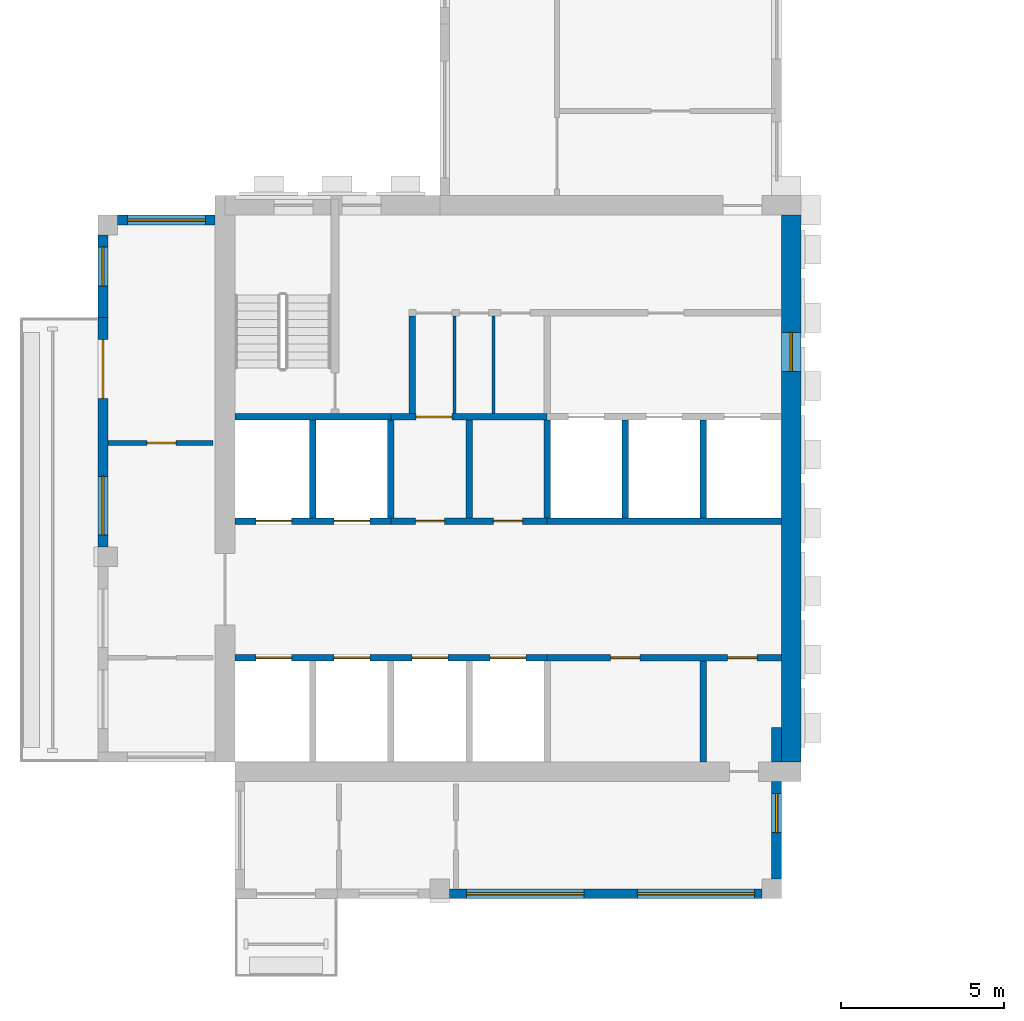
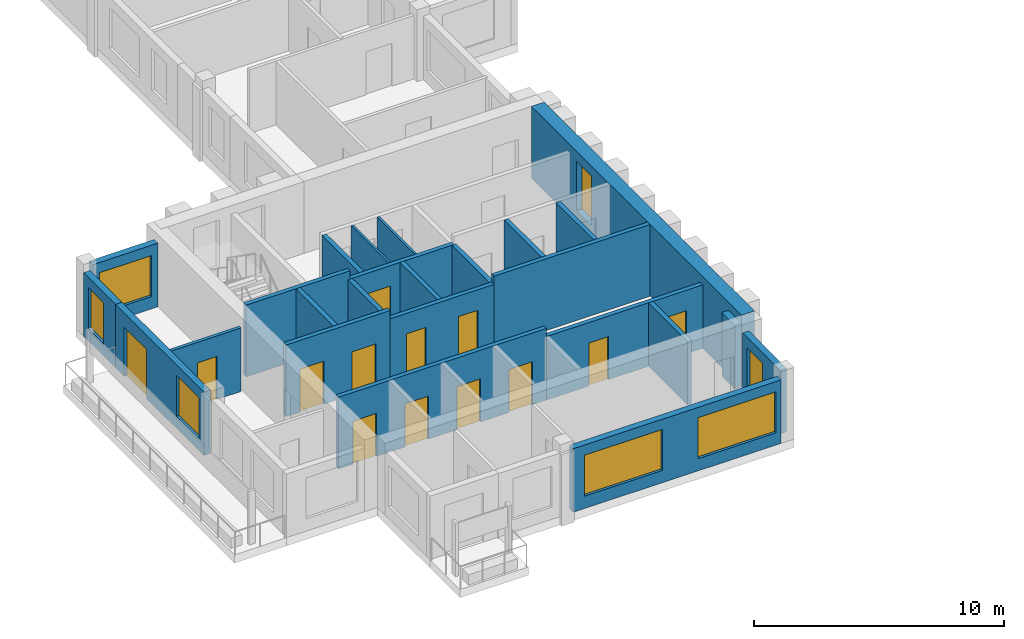
# One storey, part 2 of 9: 25 walls, 13 doors, 7 windows, 20 openings.
"""IFC4 building model written with IfcOpenShell, lengths in metres."""

from ifc_helpers import new_model, si_unit, direction, frame, frame_2d, origin, place, context, subcontext, project, spatial, rectangle, extrude, source, transform, mapped, material, layer, layer_set, type_object, element, fill, save


model = new_model("IFC4")

# Units and contexts
model_context = context("Model", 3, precision=1e-05, world=origin(), true_north=direction((0.0, 1.0)))
body_context = subcontext(model_context, "Body", "Model", "MODEL_VIEW")
ifc_project = project(units=[si_unit("LENGTHUNIT", "METRE"), si_unit("AREAUNIT", "SQUARE_METRE"), si_unit("VOLUMEUNIT", "CUBIC_METRE"), si_unit("PLANEANGLEUNIT", "RADIAN"), si_unit("MASSUNIT", "GRAM", prefix="KILO")], contexts=[model_context])

# Site, building, storey
site_placement = place(None, origin())
site = spatial("IfcSite", under=ifc_project, at=site_placement, CompositionType="ELEMENT")
building_placement = place(site_placement, origin())
building = spatial("IfcBuilding", under=site, at=building_placement, Name="Aurelian Terraces", CompositionType="ELEMENT")
storey_placement = place(building_placement, frame((0.0, 0.0, 340.5)))
storey = spatial("IfcBuildingStorey", under=building, at=storey_placement, Name="L80", CompositionType="ELEMENT", Elevation=340.5)

# Wall, opening, window
ifc_material_1 = material(Name="Concrete fc' 55 MPa", Category="concrete")
ifc_layer_1 = layer(ifc_material_1, 0.6)
ifc_layer_set_1 = layer_set([ifc_layer_1], Name="CORE WALL 600 FC55")
wall_type_1 = type_object("IfcWallType", Name="CORE WALL 600 FC55", PredefinedType="SHEAR", material=ifc_layer_set_1)
shared_shape_1 = source(origin(), body_context, "Body", "SweptSolid", [
    extrude(rectangle(XDim=16.8, YDim=0.6, at=frame_2d((8.4, 0.0))), origin(), (0.0, 0.0, 1.0), 3.5),
])
wall_1_placement = place(storey_placement, frame((21.3, 4.2, 0.0), z_axis=(0.0, 0.0, 1.0), x_axis=(0.0, 1.0, 0.0)))
wall_1 = element("IfcWall", 1, at=wall_1_placement, inside=storey, type_object=wall_type_1, Name="Core wall E L80 exposed", PredefinedType="SHEAR", context=body_context, shape_type="MappedRepresentation", body=[
    mapped(shared_shape_1, transform((0.0, 0.0, 0.0), scale=1.0)),
])
shared_shape_2 = source(origin(), body_context, "Body", "SweptSolid", [
    extrude(rectangle(XDim=1.2, YDim=2.4, at=frame_2d((0.6, 1.2))), frame((0.0, 0.31, 0.0), z_axis=(0.0, -1.0, 0.0), x_axis=(1.0, 0.0, 0.0)), (0.0, 0.0, 1.0), 0.62),
])
opening_1_placement = place(wall_1_placement, frame((12.0, 0.0, 0.6)))
opening_1 = element("IfcOpeningElement", 2, at=opening_1_placement, cuts=wall_1, Name="Opening W-CL", PredefinedType="OPENING", context=body_context, shape_type="MappedRepresentation", body=[
    mapped(shared_shape_2, transform((0.0, 0.0, 0.0), scale=1.0)),
])
ifc_material_2 = material(Name="Fire-resisting glazing", Category="glass")
window_type_1 = type_object("IfcWindowType", Name="Core lobby window 1200x2400", PartitioningType="SINGLE_PANEL", PredefinedType="WINDOW", material=ifc_material_2)
shared_shape_3 = source(origin(), body_context, "Body", "SweptSolid", [
    extrude(rectangle(XDim=1.2, YDim=2.4, at=frame_2d((0.6, 1.2))), frame((0.0, 0.03, 0.0), z_axis=(0.0, -1.0, 0.0), x_axis=(1.0, 0.0, 0.0)), (0.0, 0.0, 1.0), 0.06),
])
window_1_placement = place(opening_1_placement, origin())
window_1 = element("IfcWindow", 3, at=window_1_placement, inside=storey, type_object=window_type_1, Name="Lobby window L80 E49", OverallHeight=2.4, OverallWidth=1.2, PartitioningType="SINGLE_PANEL", PredefinedType="WINDOW", context=body_context, shape_type="MappedRepresentation", body=[
    mapped(shared_shape_3, transform((0.0, 0.0, 0.0), scale=1.0)),
])
fill(opening_1, window_1)

# Wall
ifc_material_3 = material(Name="Terracotta rainscreen cladding", Category="masonry")
ifc_layer_2 = layer(ifc_material_3, 0.3)
ifc_layer_set_2 = layer_set([ifc_layer_2], Name="EW-300")
wall_type_2 = type_object("IfcWallType", Name="EW-300", PredefinedType="STANDARD", material=ifc_layer_set_2)
shared_shape_4 = source(origin(), body_context, "Body", "SweptSolid", [
    extrude(rectangle(XDim=1.05, YDim=0.3, at=frame_2d((0.525, 0.0))), origin(), (0.0, 0.0, 1.0), 3.1),
])
wall_2_placement = place(storey_placement, frame((20.85, 4.2, 0.0), z_axis=(0.0, 0.0, 1.0), x_axis=(0.0, 1.0, 0.0)))
element("IfcWall", 4, at=wall_2_placement, inside=storey, type_object=wall_type_2, Name="External wall L80 F02.4", PredefinedType="STANDARD", context=body_context, shape_type="MappedRepresentation", body=[
    mapped(shared_shape_4, transform((0.0, 0.0, 0.0), scale=1.0)),
])

# Wall, opening, window
shared_shape_5 = source(origin(), body_context, "Body", "SweptSolid", [
    extrude(rectangle(XDim=3.0, YDim=0.3, at=frame_2d((1.5, 0.0))), origin(), (0.0, 0.0, 1.0), 3.1),
])
wall_3_placement = place(storey_placement, frame((20.85, 0.6, 0.0), z_axis=(0.0, 0.0, 1.0), x_axis=(0.0, 1.0, 0.0)))
wall_3 = element("IfcWall", 5, at=wall_3_placement, inside=storey, type_object=wall_type_2, Name="External wall L80 F02.4", PredefinedType="STANDARD", context=body_context, shape_type="MappedRepresentation", body=[
    mapped(shared_shape_5, transform((0.0, 0.0, 0.0), scale=1.0)),
])
shared_shape_6 = source(origin(), body_context, "Body", "SweptSolid", [
    extrude(rectangle(XDim=1.2, YDim=2.0, at=frame_2d((0.6, 1.0))), frame((0.0, 0.16, 0.0), z_axis=(0.0, -1.0, 0.0), x_axis=(1.0, 0.0, 0.0)), (0.0, 0.0, 1.0), 0.32),
])
opening_2_placement = place(wall_3_placement, frame((1.425, 0.0, 0.6)))
opening_2 = element("IfcOpeningElement", 6, at=opening_2_placement, cuts=wall_3, Name="Opening W1220", PredefinedType="OPENING", context=body_context, shape_type="MappedRepresentation", body=[
    mapped(shared_shape_6, transform((0.0, 0.0, 0.0), scale=1.0)),
])
ifc_material_4 = material(Name="Clear glazing", Category="glass")
window_type_2 = type_object("IfcWindowType", Name="W-1200x2000", PartitioningType="SINGLE_PANEL", PredefinedType="WINDOW", material=ifc_material_4)
shared_shape_7 = source(origin(), body_context, "Body", "SweptSolid", [
    extrude(rectangle(XDim=1.2, YDim=2.0, at=frame_2d((0.6, 1.0))), frame((0.0, 0.03, 0.0), z_axis=(0.0, -1.0, 0.0), x_axis=(1.0, 0.0, 0.0)), (0.0, 0.0, 1.0), 0.06),
])
window_2_placement = place(opening_2_placement, origin())
window_2 = element("IfcWindow", 7, at=window_2_placement, inside=storey, type_object=window_type_2, Name="Window L80 L80-F02-04-0", OverallHeight=2.0, OverallWidth=1.2, PartitioningType="SINGLE_PANEL", PredefinedType="WINDOW", context=body_context, shape_type="MappedRepresentation", body=[
    mapped(shared_shape_7, transform((0.0, 0.0, 0.0), scale=1.0)),
])
fill(opening_2, window_2)

wall_4_placement = place(storey_placement, frame((3.6, 20.85, 0.0), z_axis=(0.0, 0.0, 1.0), x_axis=(-1.0, 0.0, 0.0)))
wall_4 = element("IfcWall", 8, at=wall_4_placement, inside=storey, type_object=wall_type_2, Name="External wall L80 F09.18", PredefinedType="STANDARD", context=body_context, shape_type="MappedRepresentation", body=[
    mapped(shared_shape_5, transform((0.0, 0.0, 0.0), scale=1.0)),
])
shared_shape_8 = source(origin(), body_context, "Body", "SweptSolid", [
    extrude(rectangle(XDim=2.4, YDim=2.0, at=frame_2d((1.2, 1.0))), frame((0.0, 0.16, 0.0), z_axis=(0.0, -1.0, 0.0), x_axis=(1.0, 0.0, 0.0)), (0.0, 0.0, 1.0), 0.32),
])
opening_3_placement = place(wall_4_placement, frame((0.3, 0.0, 0.6)))
opening_3 = element("IfcOpeningElement", 9, at=opening_3_placement, cuts=wall_4, Name="Opening W2420", PredefinedType="OPENING", context=body_context, shape_type="MappedRepresentation", body=[
    mapped(shared_shape_8, transform((0.0, 0.0, 0.0), scale=1.0)),
])
window_type_3 = type_object("IfcWindowType", Name="W-2400x2000", PartitioningType="SINGLE_PANEL", PredefinedType="WINDOW", material=ifc_material_4)
shared_shape_9 = source(origin(), body_context, "Body", "SweptSolid", [
    extrude(rectangle(XDim=2.4, YDim=2.0, at=frame_2d((1.2, 1.0))), frame((0.0, 0.03, 0.0), z_axis=(0.0, -1.0, 0.0), x_axis=(1.0, 0.0, 0.0)), (0.0, 0.0, 1.0), 0.06),
])
window_3_placement = place(opening_3_placement, origin())
window_3 = element("IfcWindow", 10, at=window_3_placement, inside=storey, type_object=window_type_3, Name="Window L80 L80-F09-18-0", OverallHeight=2.0, OverallWidth=2.4, PartitioningType="SINGLE_PANEL", PredefinedType="WINDOW", context=body_context, shape_type="MappedRepresentation", body=[
    mapped(shared_shape_9, transform((0.0, 0.0, 0.0), scale=1.0)),
])
fill(opening_3, window_3)

# Wall, openings, windows
shared_shape_10 = source(origin(), body_context, "Body", "SweptSolid", [
    extrude(rectangle(XDim=9.6, YDim=0.3, at=frame_2d((4.8, 0.0))), origin(), (0.0, 0.0, 1.0), 3.1),
])
wall_5_placement = place(storey_placement, frame((10.8, 0.15, 0.0), z_axis=(0.0, 0.0, 1.0), x_axis=(1.0, 0.0, 0.0)))
wall_5 = element("IfcWall", 11, at=wall_5_placement, inside=storey, type_object=wall_type_2, Name="External wall L80 F01.3", PredefinedType="STANDARD", context=body_context, shape_type="MappedRepresentation", body=[
    mapped(shared_shape_10, transform((0.0, 0.0, 0.0), scale=1.0)),
])
shared_shape_11 = source(origin(), body_context, "Body", "SweptSolid", [
    extrude(rectangle(XDim=3.6, YDim=2.0, at=frame_2d((1.8, 1.0))), frame((0.0, 0.16, 0.0), z_axis=(0.0, -1.0, 0.0), x_axis=(1.0, 0.0, 0.0)), (0.0, 0.0, 1.0), 0.32),
])
opening_4_placement = place(wall_5_placement, frame((0.525, 0.0, 0.6)))
opening_4 = element("IfcOpeningElement", 12, at=opening_4_placement, cuts=wall_5, Name="Opening W3620", PredefinedType="OPENING", context=body_context, shape_type="MappedRepresentation", body=[
    mapped(shared_shape_11, transform((0.0, 0.0, 0.0), scale=1.0)),
])
opening_5_placement = place(wall_5_placement, frame((5.775, 0.0, 0.6)))
opening_5 = element("IfcOpeningElement", 13, at=opening_5_placement, cuts=wall_5, Name="Opening W3620", PredefinedType="OPENING", context=body_context, shape_type="MappedRepresentation", body=[
    mapped(shared_shape_11, transform((0.0, 0.0, 0.0), scale=1.0)),
])
window_type_4 = type_object("IfcWindowType", Name="W-3600x2000", PartitioningType="SINGLE_PANEL", PredefinedType="WINDOW", material=ifc_material_4)
shared_shape_12 = source(origin(), body_context, "Body", "SweptSolid", [
    extrude(rectangle(XDim=3.6, YDim=2.0, at=frame_2d((1.8, 1.0))), frame((0.0, 0.03, 0.0), z_axis=(0.0, -1.0, 0.0), x_axis=(1.0, 0.0, 0.0)), (0.0, 0.0, 1.0), 0.06),
])
window_4_placement = place(opening_4_placement, origin())
window_4 = element("IfcWindow", 14, at=window_4_placement, inside=storey, type_object=window_type_4, Name="Window L80 L80-F01-03-0", OverallHeight=2.0, OverallWidth=3.6, PartitioningType="SINGLE_PANEL", PredefinedType="WINDOW", context=body_context, shape_type="MappedRepresentation", body=[
    mapped(shared_shape_12, transform((0.0, 0.0, 0.0), scale=1.0)),
])
fill(opening_4, window_4)
window_5_placement = place(opening_5_placement, origin())
window_5 = element("IfcWindow", 15, at=window_5_placement, inside=storey, type_object=window_type_4, Name="Window L80 L80-F01-03-1", OverallHeight=2.0, OverallWidth=3.6, PartitioningType="SINGLE_PANEL", PredefinedType="WINDOW", context=body_context, shape_type="MappedRepresentation", body=[
    mapped(shared_shape_12, transform((0.0, 0.0, 0.0), scale=1.0)),
])
fill(opening_5, window_5)

# Wall, opening, window
shared_shape_13 = source(origin(), body_context, "Body", "SweptSolid", [
    extrude(rectangle(XDim=2.55, YDim=0.3, at=frame_2d((1.275, 0.0))), origin(), (0.0, 0.0, 1.0), 3.1),
])
wall_6_placement = place(storey_placement, frame((0.15, 20.4, 0.0), z_axis=(0.0, 0.0, 1.0), x_axis=(0.0, -1.0, 0.0)))
wall_6 = element("IfcWall", 16, at=wall_6_placement, inside=storey, type_object=wall_type_2, Name="External wall L80 F10.19", PredefinedType="STANDARD", context=body_context, shape_type="MappedRepresentation", body=[
    mapped(shared_shape_13, transform((0.0, 0.0, 0.0), scale=1.0)),
])
opening_6_placement = place(wall_6_placement, frame((0.375, 0.0, 0.6)))
opening_6 = element("IfcOpeningElement", 17, at=opening_6_placement, cuts=wall_6, Name="Opening W1220", PredefinedType="OPENING", context=body_context, shape_type="MappedRepresentation", body=[
    mapped(shared_shape_6, transform((0.0, 0.0, 0.0), scale=1.0)),
])
window_6_placement = place(opening_6_placement, origin())
window_6 = element("IfcWindow", 18, at=window_6_placement, inside=storey, type_object=window_type_2, Name="Window L80 L80-F10-19-0", OverallHeight=2.0, OverallWidth=1.2, PartitioningType="SINGLE_PANEL", PredefinedType="WINDOW", context=body_context, shape_type="MappedRepresentation", body=[
    mapped(shared_shape_7, transform((0.0, 0.0, 0.0), scale=1.0)),
])
fill(opening_6, window_6)

# Wall, openings, door, window
shared_shape_14 = source(origin(), body_context, "Body", "SweptSolid", [
    extrude(rectangle(XDim=7.05, YDim=0.3, at=frame_2d((3.525, 0.0))), origin(), (0.0, 0.0, 1.0), 3.1),
])
wall_7_placement = place(storey_placement, frame((0.15, 17.85, 0.0), z_axis=(0.0, 0.0, 1.0), x_axis=(0.0, -1.0, 0.0)))
wall_7 = element("IfcWall", 19, at=wall_7_placement, inside=storey, type_object=wall_type_2, Name="External wall L80 F10.20", PredefinedType="STANDARD", context=body_context, shape_type="MappedRepresentation", body=[
    mapped(shared_shape_14, transform((0.0, 0.0, 0.0), scale=1.0)),
])
shared_shape_15 = source(origin(), body_context, "Body", "SweptSolid", [
    extrude(rectangle(XDim=1.8, YDim=2.4, at=frame_2d((0.9, 1.2))), frame((0.0, 0.16, 0.0), z_axis=(0.0, -1.0, 0.0), x_axis=(1.0, 0.0, 0.0)), (0.0, 0.0, 1.0), 0.32),
])
opening_7_placement = place(wall_7_placement, frame((0.675, 0.0, 0.0)))
opening_7 = element("IfcOpeningElement", 20, at=opening_7_placement, cuts=wall_7, Name="Opening 88002", PredefinedType="OPENING", context=body_context, shape_type="MappedRepresentation", body=[
    mapped(shared_shape_15, transform((0.0, 0.0, 0.0), scale=1.0)),
])
shared_shape_16 = source(origin(), body_context, "Body", "SweptSolid", [
    extrude(rectangle(XDim=1.8, YDim=2.0, at=frame_2d((0.9, 1.0))), frame((0.0, 0.16, 0.0), z_axis=(0.0, -1.0, 0.0), x_axis=(1.0, 0.0, 0.0)), (0.0, 0.0, 1.0), 0.32),
])
opening_8_placement = place(wall_7_placement, frame((4.875, 0.0, 0.6)))
opening_8 = element("IfcOpeningElement", 21, at=opening_8_placement, cuts=wall_7, Name="Opening W1820", PredefinedType="OPENING", context=body_context, shape_type="MappedRepresentation", body=[
    mapped(shared_shape_16, transform((0.0, 0.0, 0.0), scale=1.0)),
])
door_type_1 = type_object("IfcDoorType", Name="BD-1800x2400", OperationType="SLIDING_TO_LEFT", PredefinedType="DOOR", material=ifc_material_4)
shared_shape_17 = source(origin(), body_context, "Body", "SweptSolid", [
    extrude(rectangle(XDim=1.8, YDim=2.4, at=frame_2d((0.9, 1.2))), frame((0.0, 0.025, 0.0), z_axis=(0.0, -1.0, 0.0), x_axis=(1.0, 0.0, 0.0)), (0.0, 0.0, 1.0), 0.05),
])
door_1_placement = place(opening_7_placement, origin())
door_1 = element("IfcDoor", 22, at=door_1_placement, inside=storey, type_object=door_type_1, Name="Balcony door L80 F10.20", OperationType="SLIDING_TO_LEFT", OverallHeight=2.4, OverallWidth=1.8, PredefinedType="DOOR", context=body_context, shape_type="MappedRepresentation", body=[
    mapped(shared_shape_17, transform((0.0, 0.0, 0.0), scale=1.0)),
])
fill(opening_7, door_1)
window_type_5 = type_object("IfcWindowType", Name="W-1800x2000", PartitioningType="SINGLE_PANEL", PredefinedType="WINDOW", material=ifc_material_4)
shared_shape_18 = source(origin(), body_context, "Body", "SweptSolid", [
    extrude(rectangle(XDim=1.8, YDim=2.0, at=frame_2d((0.9, 1.0))), frame((0.0, 0.03, 0.0), z_axis=(0.0, -1.0, 0.0), x_axis=(1.0, 0.0, 0.0)), (0.0, 0.0, 1.0), 0.06),
])
window_7_placement = place(opening_8_placement, origin())
window_7 = element("IfcWindow", 23, at=window_7_placement, inside=storey, type_object=window_type_5, Name="Window L80 L80-F10-20-1", OverallHeight=2.0, OverallWidth=1.8, PartitioningType="SINGLE_PANEL", PredefinedType="WINDOW", context=body_context, shape_type="MappedRepresentation", body=[
    mapped(shared_shape_18, transform((0.0, 0.0, 0.0), scale=1.0)),
])
fill(opening_8, window_7)

# Walls
ifc_material_5 = material(Name="Concrete fc' 40 MPa", Category="concrete")
ifc_layer_3 = layer(ifc_material_5, 0.2)
ifc_layer_set_3 = layer_set([ifc_layer_3], Name="Lift shaft wall 200")
wall_type_3 = type_object("IfcWallType", Name="Lift shaft wall 200", PredefinedType="SOLIDWALL", material=ifc_layer_set_3)
shared_shape_19 = source(origin(), body_context, "Body", "SweptSolid", [
    extrude(rectangle(XDim=3.0, YDim=0.2, at=frame_2d((1.5, 0.0))), origin(), (0.0, 0.0, 1.0), 3.1),
])
for number, where, z_axis, x_axis, name in (
    (24, (9.0, 11.7, 0.0), (0.0, 0.0, 1.0), (0.0, 1.0, 0.0), "L80 core wall CD-B2"),
    (25, (13.8, 11.7, 0.0), (0.0, 0.0, 1.0), (0.0, 1.0, 0.0), "L80 core wall CD-B4"),
):
    element("IfcWall", number, at=place(storey_placement, frame(where, z_axis=z_axis, x_axis=x_axis)), inside=storey, type_object=wall_type_3, Name=name, PredefinedType="SOLIDWALL", context=body_context, shape_type="MappedRepresentation", body=[
        mapped(shared_shape_19, transform((0.0, 0.0, 0.0), scale=1.0)),
    ])
shared_shape_20 = source(origin(), body_context, "Body", "SweptSolid", [
    extrude(rectangle(XDim=3.0, YDim=0.2, at=frame_2d((1.5, 0.0))), origin(), (0.0, 0.0, 1.0), 3.5),
])
for number, where, z_axis, x_axis, name in (
    (26, (6.6, 11.7, 0.0), (0.0, 0.0, 1.0), (0.0, 1.0, 0.0), "L80 core wall CD-B1"),
    (27, (16.2, 11.7, 0.0), (0.0, 0.0, 1.0), (0.0, 1.0, 0.0), "L80 core wall CD-B5"),
    (28, (18.6, 11.7, 0.0), (0.0, 0.0, 1.0), (0.0, 1.0, 0.0), "L80 core wall CD-B6"),
):
    element("IfcWall", number, at=place(storey_placement, frame(where, z_axis=z_axis, x_axis=x_axis)), inside=storey, type_object=wall_type_3, Name=name, PredefinedType="SOLIDWALL", context=body_context, shape_type="MappedRepresentation", body=[
        mapped(shared_shape_20, transform((0.0, 0.0, 0.0), scale=1.0)),
    ])

# Wall, openings, doors
shared_shape_21 = source(origin(), body_context, "Body", "SweptSolid", [
    extrude(rectangle(XDim=4.8, YDim=0.2, at=frame_2d((2.4, 0.0))), origin(), (0.0, 0.0, 1.0), 3.5),
])
wall_8_placement = place(storey_placement, frame((4.2, 11.6, 0.0), z_axis=(0.0, 0.0, 1.0), x_axis=(1.0, 0.0, 0.0)))
wall_8 = element("IfcWall", 29, at=wall_8_placement, inside=storey, type_object=wall_type_3, Name="L80 core wall CF-BF1", PredefinedType="SOLIDWALL", context=body_context, shape_type="MappedRepresentation", body=[
    mapped(shared_shape_21, transform((0.0, 0.0, 0.0), scale=1.0)),
])
shared_shape_22 = source(origin(), body_context, "Body", "SweptSolid", [
    extrude(rectangle(XDim=1.1, YDim=2.1, at=frame_2d((0.55, 1.05))), frame((0.0, 0.11, 0.0), z_axis=(0.0, -1.0, 0.0), x_axis=(1.0, 0.0, 0.0)), (0.0, 0.0, 1.0), 0.22),
])
opening_9_placement = place(wall_8_placement, frame((0.65, 0.0, 0.0)))
opening_9 = element("IfcOpeningElement", 30, at=opening_9_placement, cuts=wall_8, Name="Opening 68306", PredefinedType="OPENING", context=body_context, shape_type="MappedRepresentation", body=[
    mapped(shared_shape_22, transform((0.0, 0.0, 0.0), scale=1.0)),
])
opening_10_placement = place(wall_8_placement, frame((3.05, 0.0, 0.0)))
opening_10 = element("IfcOpeningElement", 31, at=opening_10_placement, cuts=wall_8, Name="Opening 68307", PredefinedType="OPENING", context=body_context, shape_type="MappedRepresentation", body=[
    mapped(shared_shape_22, transform((0.0, 0.0, 0.0), scale=1.0)),
])
ifc_material_6 = material(Name="Stainless steel", Category="steel")
door_type_2 = type_object("IfcDoorType", Name="Lift landing door 1100x2100", OperationType="SLIDING_TO_LEFT", PredefinedType="DOOR", material=ifc_material_6)
shared_shape_23 = source(origin(), body_context, "Body", "SweptSolid", [
    extrude(rectangle(XDim=1.1, YDim=2.1, at=frame_2d((0.55, 1.05))), frame((0.0, 0.025, 0.0), z_axis=(0.0, -1.0, 0.0), x_axis=(1.0, 0.0, 0.0)), (0.0, 0.0, 1.0), 0.05),
])
door_2_placement = place(opening_9_placement, origin())
door_2 = element("IfcDoor", 32, at=door_2_placement, inside=storey, type_object=door_type_2, Name="Lift landing door LH5 L80", OperationType="SLIDING_TO_LEFT", OverallHeight=2.1, OverallWidth=1.1, PredefinedType="DOOR", context=body_context, shape_type="MappedRepresentation", body=[
    mapped(shared_shape_23, transform((0.0, 0.0, 0.0), scale=1.0)),
])
fill(opening_9, door_2)
door_3_placement = place(opening_10_placement, origin())
door_3 = element("IfcDoor", 33, at=door_3_placement, inside=storey, type_object=door_type_2, Name="Lift landing door LH6 L80", OperationType="SLIDING_TO_LEFT", OverallHeight=2.1, OverallWidth=1.1, PredefinedType="DOOR", context=body_context, shape_type="MappedRepresentation", body=[
    mapped(shared_shape_23, transform((0.0, 0.0, 0.0), scale=1.0)),
])
fill(opening_10, door_3)

# Wall
wall_9_placement = place(storey_placement, frame((4.2, 14.8, 0.0), z_axis=(0.0, 0.0, 1.0), x_axis=(1.0, 0.0, 0.0)))
element("IfcWall", 34, at=wall_9_placement, inside=storey, type_object=wall_type_3, Name="L80 core wall CF-BB1", PredefinedType="SOLIDWALL", context=body_context, shape_type="MappedRepresentation", body=[
    mapped(shared_shape_21, transform((0.0, 0.0, 0.0), scale=1.0)),
])

# Wall, openings, doors
shared_shape_24 = source(origin(), body_context, "Body", "SweptSolid", [
    extrude(rectangle(XDim=4.8, YDim=0.2, at=frame_2d((2.4, 0.0))), origin(), (0.0, 0.0, 1.0), 3.1),
])
wall_10_placement = place(storey_placement, frame((9.0, 11.6, 0.0), z_axis=(0.0, 0.0, 1.0), x_axis=(1.0, 0.0, 0.0)))
wall_10 = element("IfcWall", 35, at=wall_10_placement, inside=storey, type_object=wall_type_3, Name="L80 core wall CF-BF2", PredefinedType="SOLIDWALL", context=body_context, shape_type="MappedRepresentation", body=[
    mapped(shared_shape_24, transform((0.0, 0.0, 0.0), scale=1.0)),
])
shared_shape_25 = source(origin(), body_context, "Body", "SweptSolid", [
    extrude(rectangle(XDim=0.9, YDim=2.1, at=frame_2d((0.45, 1.05))), frame((0.0, 0.11, 0.0), z_axis=(0.0, -1.0, 0.0), x_axis=(1.0, 0.0, 0.0)), (0.0, 0.0, 1.0), 0.22),
])
opening_11_placement = place(wall_10_placement, frame((0.75, 0.0, 0.0)))
opening_11 = element("IfcOpeningElement", 36, at=opening_11_placement, cuts=wall_10, Name="Opening 68308", PredefinedType="OPENING", context=body_context, shape_type="MappedRepresentation", body=[
    mapped(shared_shape_25, transform((0.0, 0.0, 0.0), scale=1.0)),
])
opening_12_placement = place(wall_10_placement, frame((3.15, 0.0, 0.0)))
opening_12 = element("IfcOpeningElement", 37, at=opening_12_placement, cuts=wall_10, Name="Opening 68309", PredefinedType="OPENING", context=body_context, shape_type="MappedRepresentation", body=[
    mapped(shared_shape_25, transform((0.0, 0.0, 0.0), scale=1.0)),
])
ifc_material_7 = material(Name="Steel door leaf", Category="steel")
door_type_3 = type_object("IfcDoorType", Name="Core service door 900x2100 right", OperationType="SINGLE_SWING_RIGHT", PredefinedType="DOOR", material=ifc_material_7)
shared_shape_26 = source(origin(), body_context, "Body", "SweptSolid", [
    extrude(rectangle(XDim=0.9, YDim=2.1, at=frame_2d((0.45, 1.05))), frame((0.0, 0.025, 0.0), z_axis=(0.0, -1.0, 0.0), x_axis=(1.0, 0.0, 0.0)), (0.0, 0.0, 1.0), 0.05),
])
door_4_placement = place(opening_11_placement, origin())
door_4 = element("IfcDoor", 38, at=door_4_placement, inside=storey, type_object=door_type_3, Name="Room door 68308", OperationType="SINGLE_SWING_RIGHT", OverallHeight=2.1, OverallWidth=0.9, PredefinedType="DOOR", context=body_context, shape_type="MappedRepresentation", body=[
    mapped(shared_shape_26, transform((0.0, 0.0, 0.0), scale=1.0)),
])
fill(opening_11, door_4)
door_type_4 = type_object("IfcDoorType", Name="Core service door 900x2100", OperationType="SINGLE_SWING_LEFT", PredefinedType="DOOR", material=ifc_material_7)
door_5_placement = place(opening_12_placement, origin())
door_5 = element("IfcDoor", 39, at=door_5_placement, inside=storey, type_object=door_type_4, Name="Room door 68309", OperationType="SINGLE_SWING_LEFT", OverallHeight=2.1, OverallWidth=0.9, PredefinedType="DOOR", context=body_context, shape_type="MappedRepresentation", body=[
    mapped(shared_shape_26, transform((0.0, 0.0, 0.0), scale=1.0)),
])
fill(opening_12, door_5)

# Wall, opening, door
wall_11_placement = place(storey_placement, frame((9.0, 14.8, 0.0), z_axis=(0.0, 0.0, 1.0), x_axis=(1.0, 0.0, 0.0)))
wall_11 = element("IfcWall", 40, at=wall_11_placement, inside=storey, type_object=wall_type_3, Name="L80 core wall CF-BB2", PredefinedType="SOLIDWALL", context=body_context, shape_type="MappedRepresentation", body=[
    mapped(shared_shape_24, transform((0.0, 0.0, 0.0), scale=1.0)),
])
opening_13_placement = place(wall_11_placement, frame((0.775, 0.0, 0.0)))
opening_13 = element("IfcOpeningElement", 41, at=opening_13_placement, cuts=wall_11, Name="Opening 68310", PredefinedType="OPENING", context=body_context, shape_type="MappedRepresentation", body=[
    mapped(shared_shape_22, transform((0.0, 0.0, 0.0), scale=1.0)),
])
door_type_5 = type_object("IfcDoorType", Name="Core fire door 1100x2100 right", OperationType="SINGLE_SWING_RIGHT", PredefinedType="DOOR", material=ifc_material_7)
door_6_placement = place(opening_13_placement, origin())
door_6 = element("IfcDoor", 42, at=door_6_placement, inside=storey, type_object=door_type_5, Name="Room door 68310", OperationType="SINGLE_SWING_RIGHT", OverallHeight=2.1, OverallWidth=1.1, PredefinedType="DOOR", context=body_context, shape_type="MappedRepresentation", body=[
    mapped(shared_shape_23, transform((0.0, 0.0, 0.0), scale=1.0)),
])
fill(opening_13, door_6)

# Walls
shared_shape_27 = source(origin(), body_context, "Body", "SweptSolid", [
    extrude(rectangle(XDim=7.2, YDim=0.2, at=frame_2d((3.6, 0.0))), origin(), (0.0, 0.0, 1.0), 3.5),
])
wall_12_placement = place(storey_placement, frame((13.8, 11.6, 0.0), z_axis=(0.0, 0.0, 1.0), x_axis=(1.0, 0.0, 0.0)))
element("IfcWall", 43, at=wall_12_placement, inside=storey, type_object=wall_type_3, Name="L80 core wall CF-BF3", PredefinedType="SOLIDWALL", context=body_context, shape_type="MappedRepresentation", body=[
    mapped(shared_shape_27, transform((0.0, 0.0, 0.0), scale=1.0)),
])
ifc_material_8 = material(Name="Gypsum board on steel studs", Category="steel")
ifc_layer_4 = layer(ifc_material_8, 0.2)
ifc_layer_set_4 = layer_set([ifc_layer_4], Name="Core partition 200")
wall_type_4 = type_object("IfcWallType", Name="Core partition 200", PredefinedType="PARTITIONING", material=ifc_layer_set_4)
shared_shape_28 = source(origin(), body_context, "Body", "SweptSolid", [
    extrude(rectangle(XDim=3.0, YDim=0.2, at=frame_2d((1.5, 0.0))), origin(), (0.0, 0.0, 1.0), 3.1),
])
for number, where, z_axis, x_axis, name in (
    (44, (11.4, 11.7, 0.0), (0.0, 0.0, 1.0), (0.0, 1.0, 0.0), "L80 core wall CS-B3"),
    (45, (9.65, 14.9, 0.0), (0.0, 0.0, 1.0), (0.0, 1.0, 0.0), "L80 core wall CP-VEST"),
):
    element("IfcWall", number, at=place(storey_placement, frame(where, z_axis=z_axis, x_axis=x_axis)), inside=storey, type_object=wall_type_4, Name=name, PredefinedType="PARTITIONING", context=body_context, shape_type="MappedRepresentation", body=[
        mapped(shared_shape_28, transform((0.0, 0.0, 0.0), scale=1.0)),
    ])
shared_shape_29 = source(origin(), body_context, "Body", "SweptSolid", [
    extrude(rectangle(XDim=3.1, YDim=0.2, at=frame_2d((1.55, 0.0))), origin(), (0.0, 0.0, 1.0), 3.1),
])
wall_13_placement = place(storey_placement, frame((18.6, 4.2, 0.0), z_axis=(0.0, 0.0, 1.0), x_axis=(0.0, 1.0, 0.0)))
element("IfcWall", 46, at=wall_13_placement, inside=storey, type_object=wall_type_4, Name="L80 core wall CS-A6", PredefinedType="PARTITIONING", context=body_context, shape_type="MappedRepresentation", body=[
    mapped(shared_shape_29, transform((0.0, 0.0, 0.0), scale=1.0)),
])

# Wall, openings, doors
shared_shape_30 = source(origin(), body_context, "Body", "SweptSolid", [
    extrude(rectangle(XDim=9.6, YDim=0.2, at=frame_2d((4.8, 0.0))), origin(), (0.0, 0.0, 1.0), 3.5),
])
wall_14_placement = place(storey_placement, frame((4.2, 7.4, 0.0), z_axis=(0.0, 0.0, 1.0), x_axis=(1.0, 0.0, 0.0)))
wall_14 = element("IfcWall", 47, at=wall_14_placement, inside=storey, type_object=wall_type_3, Name="L80 core wall CF-AF1", PredefinedType="SOLIDWALL", context=body_context, shape_type="MappedRepresentation", body=[
    mapped(shared_shape_30, transform((0.0, 0.0, 0.0), scale=1.0)),
])
opening_14_placement = place(wall_14_placement, frame((0.65, 0.0, 0.0)))
opening_14 = element("IfcOpeningElement", 48, at=opening_14_placement, cuts=wall_14, Name="Opening 68300", PredefinedType="OPENING", context=body_context, shape_type="MappedRepresentation", body=[
    mapped(shared_shape_22, transform((0.0, 0.0, 0.0), scale=1.0)),
])
opening_15_placement = place(wall_14_placement, frame((3.05, 0.0, 0.0)))
opening_15 = element("IfcOpeningElement", 49, at=opening_15_placement, cuts=wall_14, Name="Opening 68301", PredefinedType="OPENING", context=body_context, shape_type="MappedRepresentation", body=[
    mapped(shared_shape_22, transform((0.0, 0.0, 0.0), scale=1.0)),
])
opening_16_placement = place(wall_14_placement, frame((5.45, 0.0, 0.0)))
opening_16 = element("IfcOpeningElement", 50, at=opening_16_placement, cuts=wall_14, Name="Opening 68302", PredefinedType="OPENING", context=body_context, shape_type="MappedRepresentation", body=[
    mapped(shared_shape_22, transform((0.0, 0.0, 0.0), scale=1.0)),
])
opening_17_placement = place(wall_14_placement, frame((7.85, 0.0, 0.0)))
opening_17 = element("IfcOpeningElement", 51, at=opening_17_placement, cuts=wall_14, Name="Opening 68303", PredefinedType="OPENING", context=body_context, shape_type="MappedRepresentation", body=[
    mapped(shared_shape_22, transform((0.0, 0.0, 0.0), scale=1.0)),
])
door_7_placement = place(opening_14_placement, origin())
door_7 = element("IfcDoor", 52, at=door_7_placement, inside=storey, type_object=door_type_2, Name="Lift landing door LH1 L80", OperationType="SLIDING_TO_LEFT", OverallHeight=2.1, OverallWidth=1.1, PredefinedType="DOOR", context=body_context, shape_type="MappedRepresentation", body=[
    mapped(shared_shape_23, transform((0.0, 0.0, 0.0), scale=1.0)),
])
fill(opening_14, door_7)
door_8_placement = place(opening_15_placement, origin())
door_8 = element("IfcDoor", 53, at=door_8_placement, inside=storey, type_object=door_type_2, Name="Lift landing door LH2 L80", OperationType="SLIDING_TO_LEFT", OverallHeight=2.1, OverallWidth=1.1, PredefinedType="DOOR", context=body_context, shape_type="MappedRepresentation", body=[
    mapped(shared_shape_23, transform((0.0, 0.0, 0.0), scale=1.0)),
])
fill(opening_15, door_8)
door_9_placement = place(opening_16_placement, origin())
door_9 = element("IfcDoor", 54, at=door_9_placement, inside=storey, type_object=door_type_2, Name="Lift landing door LH3 L80", OperationType="SLIDING_TO_LEFT", OverallHeight=2.1, OverallWidth=1.1, PredefinedType="DOOR", context=body_context, shape_type="MappedRepresentation", body=[
    mapped(shared_shape_23, transform((0.0, 0.0, 0.0), scale=1.0)),
])
fill(opening_16, door_9)
door_10_placement = place(opening_17_placement, origin())
door_10 = element("IfcDoor", 55, at=door_10_placement, inside=storey, type_object=door_type_2, Name="Lift landing door LH4 L80", OperationType="SLIDING_TO_LEFT", OverallHeight=2.1, OverallWidth=1.1, PredefinedType="DOOR", context=body_context, shape_type="MappedRepresentation", body=[
    mapped(shared_shape_23, transform((0.0, 0.0, 0.0), scale=1.0)),
])
fill(opening_17, door_10)

shared_shape_31 = source(origin(), body_context, "Body", "SweptSolid", [
    extrude(rectangle(XDim=7.2, YDim=0.2, at=frame_2d((3.6, 0.0))), origin(), (0.0, 0.0, 1.0), 3.1),
])
wall_15_placement = place(storey_placement, frame((13.8, 7.4, 0.0), z_axis=(0.0, 0.0, 1.0), x_axis=(1.0, 0.0, 0.0)))
wall_15 = element("IfcWall", 56, at=wall_15_placement, inside=storey, type_object=wall_type_3, Name="L80 core wall CF-AF2", PredefinedType="SOLIDWALL", context=body_context, shape_type="MappedRepresentation", body=[
    mapped(shared_shape_31, transform((0.0, 0.0, 0.0), scale=1.0)),
])
opening_18_placement = place(wall_15_placement, frame((1.95, 0.0, 0.0)))
opening_18 = element("IfcOpeningElement", 57, at=opening_18_placement, cuts=wall_15, Name="Opening 68304", PredefinedType="OPENING", context=body_context, shape_type="MappedRepresentation", body=[
    mapped(shared_shape_25, transform((0.0, 0.0, 0.0), scale=1.0)),
])
opening_19_placement = place(wall_15_placement, frame((5.55, 0.0, 0.0)))
opening_19 = element("IfcOpeningElement", 58, at=opening_19_placement, cuts=wall_15, Name="Opening 68305", PredefinedType="OPENING", context=body_context, shape_type="MappedRepresentation", body=[
    mapped(shared_shape_25, transform((0.0, 0.0, 0.0), scale=1.0)),
])
door_11_placement = place(opening_18_placement, origin())
door_11 = element("IfcDoor", 59, at=door_11_placement, inside=storey, type_object=door_type_3, Name="Room door 68304", OperationType="SINGLE_SWING_RIGHT", OverallHeight=2.1, OverallWidth=0.9, PredefinedType="DOOR", context=body_context, shape_type="MappedRepresentation", body=[
    mapped(shared_shape_26, transform((0.0, 0.0, 0.0), scale=1.0)),
])
fill(opening_18, door_11)
door_12_placement = place(opening_19_placement, origin())
door_12 = element("IfcDoor", 60, at=door_12_placement, inside=storey, type_object=door_type_4, Name="Room door 68305", OperationType="SINGLE_SWING_LEFT", OverallHeight=2.1, OverallWidth=0.9, PredefinedType="DOOR", context=body_context, shape_type="MappedRepresentation", body=[
    mapped(shared_shape_26, transform((0.0, 0.0, 0.0), scale=1.0)),
])
fill(opening_19, door_12)

# Walls
ifc_layer_5 = layer(ifc_material_8, 0.1)
ifc_layer_set_5 = layer_set([ifc_layer_5], Name="Core partition 100")
wall_type_5 = type_object("IfcWallType", Name="Core partition 100", PredefinedType="PARTITIONING", material=ifc_layer_set_5)
shared_shape_32 = source(origin(), body_context, "Body", "SweptSolid", [
    extrude(rectangle(XDim=3.0, YDim=0.1, at=frame_2d((1.5, 0.0))), origin(), (0.0, 0.0, 1.0), 3.1),
])
for number, where, z_axis, x_axis, name in (
    (61, (10.95, 14.9, 0.0), (0.0, 0.0, 1.0), (0.0, 1.0, 0.0), "L80 core wall CP-SV1"),
    (62, (12.15, 14.9, 0.0), (0.0, 0.0, 1.0), (0.0, 1.0, 0.0), "L80 core wall CP-SV2"),
):
    element("IfcWall", number, at=place(storey_placement, frame(where, z_axis=z_axis, x_axis=x_axis)), inside=storey, type_object=wall_type_5, Name=name, PredefinedType="PARTITIONING", context=body_context, shape_type="MappedRepresentation", body=[
        mapped(shared_shape_32, transform((0.0, 0.0, 0.0), scale=1.0)),
    ])

# Wall, opening, door
ifc_layer_6 = layer(ifc_material_8, 0.15)
ifc_layer_set_6 = layer_set([ifc_layer_6], Name="Partition 150")
wall_type_6 = type_object("IfcWallType", Name="Partition 150", PredefinedType="PARTITIONING", material=ifc_layer_set_6)
shared_shape_33 = source(origin(), body_context, "Body", "SweptSolid", [
    extrude(rectangle(XDim=3.225, YDim=0.15, at=frame_2d((1.6125, 0.0))), origin(), (0.0, 0.0, 1.0), 3.1),
])
wall_16_placement = place(storey_placement, frame((0.3, 14.0, 0.0), z_axis=(0.0, 0.0, 1.0), x_axis=(1.0, 0.0, 0.0)))
wall_16 = element("IfcWall", 63, at=wall_16_placement, inside=storey, type_object=wall_type_6, Name="Partition", PredefinedType="PARTITIONING", context=body_context, shape_type="MappedRepresentation", body=[
    mapped(shared_shape_33, transform((0.0, 0.0, 0.0), scale=1.0)),
])
shared_shape_34 = source(origin(), body_context, "Body", "SweptSolid", [
    extrude(rectangle(XDim=0.9, YDim=2.1, at=frame_2d((0.45, 1.05))), frame((0.0, 0.085, 0.0), z_axis=(0.0, -1.0, 0.0), x_axis=(1.0, 0.0, 0.0)), (0.0, 0.0, 1.0), 0.17),
])
opening_20_placement = place(wall_16_placement, frame((1.2, 0.0, 0.0)))
opening_20 = element("IfcOpeningElement", 64, at=opening_20_placement, cuts=wall_16, Name="Opening 780004", PredefinedType="OPENING", context=body_context, shape_type="MappedRepresentation", body=[
    mapped(shared_shape_34, transform((0.0, 0.0, 0.0), scale=1.0)),
])
ifc_material_9 = material(Name="Timber door leaf", Category="wood")
door_type_6 = type_object("IfcDoorType", Name="Room door 900x2100 left", OperationType="SINGLE_SWING_LEFT", PredefinedType="DOOR", material=ifc_material_9)
door_13_placement = place(opening_20_placement, origin())
door_13 = element("IfcDoor", 65, at=door_13_placement, inside=storey, type_object=door_type_6, Name="Door 780004", OperationType="SINGLE_SWING_LEFT", OverallHeight=2.1, OverallWidth=0.9, PredefinedType="DOOR", context=body_context, shape_type="MappedRepresentation", body=[
    mapped(shared_shape_26, transform((0.0, 0.0, 0.0), scale=1.0)),
])
fill(opening_20, door_13)

save(model, "model.ifc")
